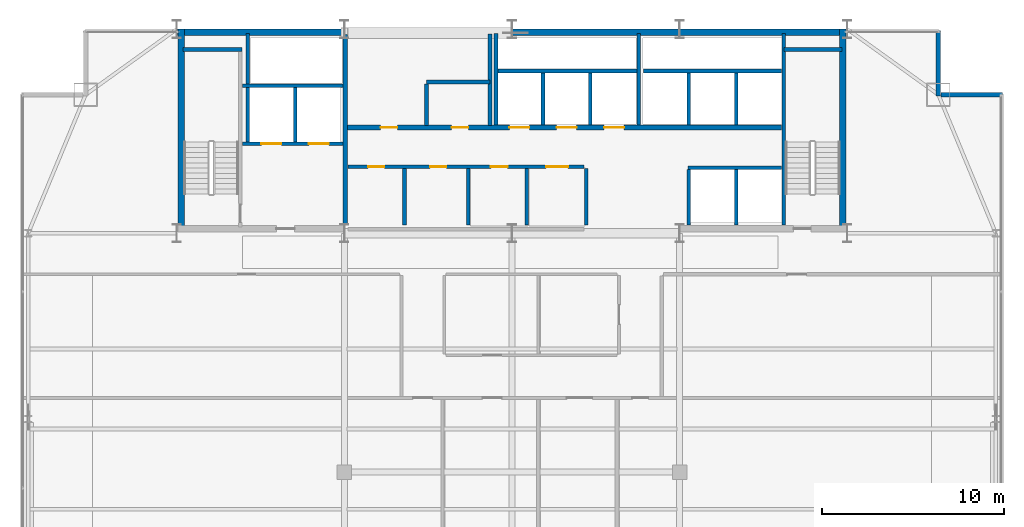
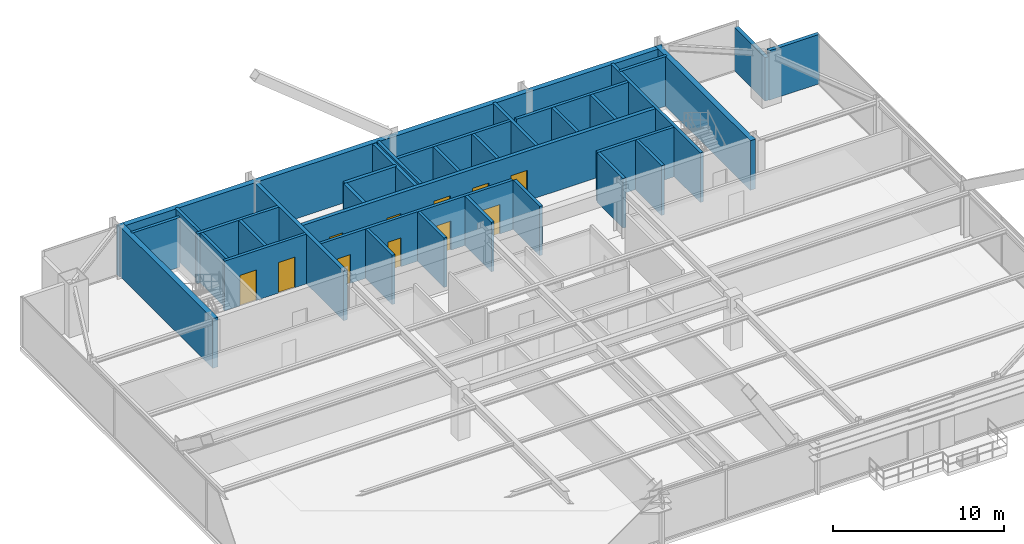
# One storey, part 29 of 32: 33 walls, 11 doors, 11 openings.
"""IFC4 building model written with IfcOpenShell, lengths in metres."""

from ifc_helpers import new_model, si_unit, direction, frame, frame_2d, origin, place, context, subcontext, project, spatial, rectangle, extrude, source, transform, mapped, material, layer, layer_set, type_object, type_shapes, element, fill, save


model = new_model("IFC4")

# Units and contexts
model_context = context("Model", 3, precision=1e-05, world=origin(), true_north=direction((0.0, 1.0)))
body_context = subcontext(model_context, "Body", "Model", "MODEL_VIEW")
ifc_project = project(units=[si_unit("LENGTHUNIT", "METRE"), si_unit("AREAUNIT", "SQUARE_METRE"), si_unit("VOLUMEUNIT", "CUBIC_METRE"), si_unit("PLANEANGLEUNIT", "RADIAN"), si_unit("MASSUNIT", "GRAM", prefix="KILO")], contexts=[model_context])

# Site, building, storey
site_placement = place(None, origin())
site = spatial("IfcSite", under=ifc_project, at=site_placement, CompositionType="ELEMENT")
building_placement = place(site_placement, origin())
building = spatial("IfcBuilding", under=site, at=building_placement, Name="Varnel Quay Broadcast Tower", CompositionType="ELEMENT")
storey_placement = place(building_placement, frame((0.0, 0.0, 164.800048828125)))
storey = spatial("IfcBuildingStorey", under=building, at=storey_placement, Name="L40", CompositionType="ELEMENT", Elevation=164.800048828125)

# Wall
ifc_material_1 = material(Name="Concrete CSA A23.3 C50/60", Category="concrete")
ifc_layer_1 = layer(ifc_material_1, 0.199951171875, Name="Concrete CSA A23.3 C50/60")
ifc_layer_set_1 = layer_set([ifc_layer_1], Name="Concrete CSA A23.3 C50/60")
wall_type_1 = type_object("IfcWallType", Name="Wall_CoreShaftShear200", PredefinedType="SHEAR", material=ifc_layer_set_1)
wall_1_placement = place(storey_placement, frame((15.949951171875, 45.679931640625, 0.0), z_axis=(0.0, 0.0, 1.0), x_axis=(1.0, 0.0, 0.0)))
element("IfcWall", 1, at=wall_1_placement, inside=storey, type_object=wall_type_1, Name="L40 Stair 1 North Structural Wall", PredefinedType="SHEAR", context=body_context, shape_type="SweptSolid", body=[
    extrude(rectangle(XDim=3.22998046875, YDim=0.199951171875, at=frame_2d((1.614990234375, 0.0))), origin(), (0.0, 0.0, 1.0), 3.550048828125),
])

# Wall, openings, doors
wall_2_placement = place(storey_placement, frame((19.199951171875, 40.5, 0.0), z_axis=(0.0, 0.0, 1.0), x_axis=(1.0, 0.0, 0.0)))
wall_2 = element("IfcWall", 2, at=wall_2_placement, inside=storey, type_object=wall_type_1, Name="L40 Firefighter Lift Shaft Front Wall", PredefinedType="SHEAR", context=body_context, shape_type="SweptSolid", body=[
    extrude(rectangle(XDim=5.52001953125, YDim=0.199951171875, at=frame_2d((2.760009765625, 0.0))), origin(), (0.0, 0.0, 1.0), 3.550048828125),
])
opening_1_placement = place(wall_2_placement, frame((1.050048828125, 0.0, 0.0)))
opening_1 = element("IfcOpeningElement", 3, at=opening_1_placement, cuts=wall_2, Name="Opening LD-L40-FE1", PredefinedType="OPENING", context=body_context, shape_type="SweptSolid", body=[
    extrude(rectangle(XDim=1.10009765625, YDim=2.179931640625, at=frame_2d((0.550048828125, 1.08984375))), frame((0.0, 0.10986328125, 0.0), z_axis=(0.0, -1.0, 0.0), x_axis=(1.0, 0.0, 0.0)), (0.0, 0.0, 1.0), 0.219970703125),
])
opening_2_placement = place(wall_2_placement, frame((3.64990234375, 0.0, 0.0)))
opening_2 = element("IfcOpeningElement", 4, at=opening_2_placement, cuts=wall_2, Name="Opening LD-L40-FE2", PredefinedType="OPENING", context=body_context, shape_type="SweptSolid", body=[
    extrude(rectangle(XDim=1.10009765625, YDim=2.179931640625, at=frame_2d((0.550048828125, 1.08984375))), frame((0.0, 0.10986328125, 0.0), z_axis=(0.0, -1.0, 0.0), x_axis=(1.0, 0.0, 0.0)), (0.0, 0.0, 1.0), 0.219970703125),
])
ifc_material_2 = material(Name="Brushed Bronze-Stainless Lift Car & Sliding Doors", Category="steel")
door_type_1 = type_object("IfcDoorType", Name="Door_LiftLanding1100", OperationType="SLIDING_TO_LEFT", PredefinedType="DOOR", material=ifc_material_2)
shared_shape_1 = source(origin(), body_context, "Body", "SweptSolid", [
    extrude(rectangle(XDim=1.10009765625, YDim=2.179931640625, at=frame_2d((0.550048828125, 1.08984375))), frame((0.0, 0.02490234375, 0.0), z_axis=(0.0, -1.0, 0.0), x_axis=(1.0, 0.0, 0.0)), (0.0, 0.0, 1.0), 0.050048828125),
])
type_shapes(door_type_1, [shared_shape_1])
door_1_placement = place(opening_1_placement, frame((1.10009765625, 0.0, 0.0), z_axis=(0.0, 0.0, 1.0), x_axis=(-1.0, 0.0, 0.0)))
door_1 = element("IfcDoor", 5, at=door_1_placement, inside=storey, type_object=door_type_1, Name="L40 Firefighter Lift FE-01 Landing Door", OperationType="SLIDING_TO_LEFT", OverallHeight=2.179931640625, OverallWidth=1.10009765625, PredefinedType="DOOR", context=body_context, shape_type="MappedRepresentation", body=[
    mapped(shared_shape_1, transform((0.0, 0.0, 0.0), x_axis=(1.0, 0.0, 0.0), y_axis=(0.0, 1.0, 0.0), z_axis=(0.0, 0.0, 1.0), scale=1.0)),
])
fill(opening_1, door_1)
door_2_placement = place(opening_2_placement, frame((1.10009765625, 0.0, 0.0), z_axis=(0.0, 0.0, 1.0), x_axis=(-1.0, 0.0, 0.0)))
door_2 = element("IfcDoor", 6, at=door_2_placement, inside=storey, type_object=door_type_1, Name="L40 Firefighter Lift FE-02 Landing Door", OperationType="SLIDING_TO_RIGHT", OverallHeight=2.179931640625, OverallWidth=1.10009765625, PredefinedType="DOOR", context=body_context, shape_type="MappedRepresentation", body=[
    mapped(shared_shape_1, transform((0.0, 0.0, 0.0), x_axis=(1.0, 0.0, 0.0), y_axis=(0.0, 1.0, 0.0), z_axis=(0.0, 0.0, 1.0), scale=1.0)),
])
fill(opening_2, door_2)

# Walls
wall_3_placement = place(storey_placement, frame((19.199951171875, 43.699951171875, 0.0), z_axis=(0.0, 0.0, 1.0), x_axis=(1.0, 0.0, 0.0)))
element("IfcWall", 7, at=wall_3_placement, inside=storey, type_object=wall_type_1, Name="L40 Firefighter Lift Shaft Rear Wall", PredefinedType="SHEAR", context=body_context, shape_type="SweptSolid", body=[
    extrude(rectangle(XDim=5.52001953125, YDim=0.199951171875, at=frame_2d((2.760009765625, 0.0))), origin(), (0.0, 0.0, 1.0), 3.550048828125),
])
wall_4_placement = place(storey_placement, frame((22.10009765625, 40.60009765625, 0.0), z_axis=(0.0, 0.0, 1.0), x_axis=(0.0, 1.0, 0.0)))
element("IfcWall", 8, at=wall_4_placement, inside=storey, type_object=wall_type_1, Name="L40 Firefighter Lift Shaft Divider", PredefinedType="SHEAR", context=body_context, shape_type="SweptSolid", body=[
    extrude(rectangle(XDim=3.0, YDim=0.199951171875, at=frame_2d((1.5, 0.0))), origin(), (0.0, 0.0, 1.0), 3.550048828125),
])
wall_5_placement = place(storey_placement, frame((19.5, 40.60009765625, 0.0), z_axis=(0.0, 0.0, 1.0), x_axis=(0.0, 1.0, 0.0)))
element("IfcWall", 9, at=wall_5_placement, inside=storey, type_object=wall_type_1, Name="L40 Firefighter Lift Shaft West Wall", PredefinedType="SHEAR", context=body_context, shape_type="SweptSolid", body=[
    extrude(rectangle(XDim=5.949951171875, YDim=0.199951171875, at=frame_2d((2.97509765625, 0.0))), origin(), (0.0, 0.0, 1.0), 3.550048828125),
])
wall_6_placement = place(storey_placement, frame((48.919921875, 36.050048828125, 0.0), z_axis=(0.0, 0.0, 1.0), x_axis=(0.0, 1.0, 0.0)))
element("IfcWall", 10, at=wall_6_placement, inside=storey, type_object=wall_type_1, Name="L40 Stair 2 West Structural Wall", PredefinedType="SHEAR", context=body_context, shape_type="SweptSolid", body=[
    extrude(rectangle(XDim=10.5, YDim=0.199951171875, at=frame_2d((5.25, 0.0))), origin(), (0.0, 0.0, 1.0), 3.550048828125),
])
wall_7_placement = place(storey_placement, frame((48.919921875, 45.679931640625, 0.0), z_axis=(0.0, 0.0, 1.0), x_axis=(1.0, 0.0, 0.0)))
element("IfcWall", 11, at=wall_7_placement, inside=storey, type_object=wall_type_1, Name="L40 Stair 2 North Structural Wall", PredefinedType="SHEAR", context=body_context, shape_type="SweptSolid", body=[
    extrude(rectangle(XDim=3.18017578125, YDim=0.199951171875, at=frame_2d((1.590087890625, 0.0))), origin(), (0.0, 0.0, 1.0), 3.550048828125),
])
wall_8_placement = place(storey_placement, frame((33.219970703125, 44.5, 0.0), z_axis=(0.0, 0.0, 1.0), x_axis=(1.0, 0.0, 0.0)))
element("IfcWall", 12, at=wall_8_placement, inside=storey, type_object=wall_type_1, Name="L40 Mid-Rise Lift Shaft Rear Wall", PredefinedType="SHEAR", context=body_context, shape_type="SweptSolid", body=[
    extrude(rectangle(XDim=7.630126953125, YDim=0.199951171875, at=frame_2d((3.81494140625, 0.0))), origin(), (0.0, 0.0, 1.0), 3.550048828125),
])
wall_9_placement = place(storey_placement, frame((33.1201171875, 41.530029296875, 0.0), z_axis=(0.0, 0.0, 1.0), x_axis=(0.0, 1.0, 0.0)))
element("IfcWall", 13, at=wall_9_placement, inside=storey, type_object=wall_type_1, Name="L40 Mid-Rise Lift Shaft Divider 1", PredefinedType="SHEAR", context=body_context, shape_type="SweptSolid", body=[
    extrude(rectangle(XDim=5.02001953125, YDim=0.199951171875, at=frame_2d((2.510009765625, 0.0))), origin(), (0.0, 0.0, 1.0), 3.550048828125),
])
for number, where, z_axis, x_axis, name in (
    (14, (35.699951171875, 41.530029296875, 0.0), (0.0, 0.0, 1.0), (0.0, 1.0, 0.0), "L40 Mid-Rise Lift Shaft Divider 2"),
    (15, (38.300048828125, 41.530029296875, 0.0), (0.0, 0.0, 1.0), (0.0, 1.0, 0.0), "L40 Mid-Rise Lift Shaft Divider 3"),
):
    element("IfcWall", number, at=place(storey_placement, frame(where, z_axis=z_axis, x_axis=x_axis)), inside=storey, type_object=wall_type_1, Name=name, PredefinedType="SHEAR", context=body_context, shape_type="SweptSolid", body=[
        extrude(rectangle(XDim=2.869873046875, YDim=0.199951171875, at=frame_2d((1.43505859375, 0.0))), origin(), (0.0, 0.0, 1.0), 3.550048828125),
    ])
wall_10_placement = place(storey_placement, frame((40.949951171875, 41.530029296875, 0.0), z_axis=(0.0, 0.0, 1.0), x_axis=(0.0, 1.0, 0.0)))
element("IfcWall", 16, at=wall_10_placement, inside=storey, type_object=wall_type_1, Name="L40 Mid-Rise Lift Shaft Divider 4", PredefinedType="SHEAR", context=body_context, shape_type="SweptSolid", body=[
    extrude(rectangle(XDim=5.02001953125, YDim=0.199951171875, at=frame_2d((2.510009765625, 0.0))), origin(), (0.0, 0.0, 1.0), 3.550048828125),
])
wall_11_placement = place(storey_placement, frame((41.219970703125, 44.5, 0.0), z_axis=(0.0, 0.0, 1.0), x_axis=(1.0, 0.0, 0.0)))
element("IfcWall", 17, at=wall_11_placement, inside=storey, type_object=wall_type_1, Name="L40 High-Rise Lift Shaft Rear Wall", PredefinedType="SHEAR", context=body_context, shape_type="SweptSolid", body=[
    extrude(rectangle(XDim=7.580078125, YDim=0.199951171875, at=frame_2d((3.7900390625, 0.0))), origin(), (0.0, 0.0, 1.0), 3.550048828125),
])
for number, where, z_axis, x_axis, name in (
    (18, (43.699951171875, 41.530029296875, 0.0), (0.0, 0.0, 1.0), (0.0, 1.0, 0.0), "L40 High-Rise Lift Shaft Divider 2"),
    (19, (46.300048828125, 41.530029296875, 0.0), (0.0, 0.0, 1.0), (0.0, 1.0, 0.0), "L40 High-Rise Lift Shaft Divider 3"),
):
    element("IfcWall", number, at=place(storey_placement, frame(where, z_axis=z_axis, x_axis=x_axis)), inside=storey, type_object=wall_type_1, Name=name, PredefinedType="SHEAR", context=body_context, shape_type="SweptSolid", body=[
        extrude(rectangle(XDim=2.869873046875, YDim=0.199951171875, at=frame_2d((1.43505859375, 0.0))), origin(), (0.0, 0.0, 1.0), 3.550048828125),
    ])
for number, where, z_axis, x_axis, name in (
    (20, (43.699951171875, 36.050048828125, 0.0), (0.0, 0.0, 1.0), (0.0, 1.0, 0.0), "L40 Express Lift Shaft West Wall"),
    (21, (46.300048828125, 36.050048828125, 0.0), (0.0, 0.0, 1.0), (0.0, 1.0, 0.0), "L40 Express Lift Shaft Divider"),
):
    element("IfcWall", number, at=place(storey_placement, frame(where, z_axis=z_axis, x_axis=x_axis)), inside=storey, type_object=wall_type_1, Name=name, PredefinedType="SHEAR", context=body_context, shape_type="SweptSolid", body=[
        extrude(rectangle(XDim=3.050048828125, YDim=0.199951171875, at=frame_2d((1.52490234375, 0.0))), origin(), (0.0, 0.0, 1.0), 3.550048828125),
    ])
wall_12_placement = place(storey_placement, frame((43.64990234375, 39.199951171875, 0.0), z_axis=(0.0, 0.0, 1.0), x_axis=(1.0, 0.0, 0.0)))
element("IfcWall", 22, at=wall_12_placement, inside=storey, type_object=wall_type_1, Name="L40 Express Lift Shaft North Front Wall", PredefinedType="SHEAR", context=body_context, shape_type="SweptSolid", body=[
    extrude(rectangle(XDim=5.150146484375, YDim=0.199951171875, at=frame_2d((2.5751953125, 0.0))), origin(), (0.0, 0.0, 1.0), 3.550048828125),
])
ifc_layer_2 = layer(ifc_material_1, 0.25, Name="Concrete CSA A23.3 C50/60")
ifc_layer_set_2 = layer_set([ifc_layer_2], Name="Concrete CSA A23.3 C50/60")
wall_type_2 = type_object("IfcWallType", Name="Wall_CoreShaftShear250", PredefinedType="SHEAR", material=ifc_layer_set_2)
wall_13_placement = place(storey_placement, frame((24.85009765625, 36.050048828125, 0.0), z_axis=(0.0, 0.0, 1.0), x_axis=(0.0, 1.0, 0.0)))
element("IfcWall", 23, at=wall_13_placement, inside=storey, type_object=wall_type_2, Name="L40 Firefighting Lobby East Structural Wall", PredefinedType="SHEAR", context=body_context, shape_type="SweptSolid", body=[
    extrude(rectangle(XDim=10.449951171875, YDim=0.25, at=frame_2d((5.22509765625, 0.0))), origin(), (0.0, 0.0, 1.0), 3.550048828125),
])

# Wall, openings, doors
wall_14_placement = place(storey_placement, frame((24.97998046875, 41.39990234375, 0.0), z_axis=(0.0, 0.0, 1.0), x_axis=(1.0, 0.0, 0.0)))
wall_14 = element("IfcWall", 24, at=wall_14_placement, inside=storey, type_object=wall_type_2, Name="L40 North Lift Bank & Reclaimed Suite Wall", PredefinedType="SHEAR", context=body_context, shape_type="SweptSolid", body=[
    extrude(rectangle(XDim=23.820068359375, YDim=0.25, at=frame_2d((11.91015625, 0.0))), origin(), (0.0, 0.0, 1.0), 3.550048828125),
])
opening_3_placement = place(wall_14_placement, frame((8.8701171875, 0.0, 0.0)))
opening_3 = element("IfcOpeningElement", 25, at=opening_3_placement, cuts=wall_14, Name="Opening LD-L40-PM-01", PredefinedType="OPENING", context=body_context, shape_type="SweptSolid", body=[
    extrude(rectangle(XDim=1.10009765625, YDim=2.179931640625, at=frame_2d((0.550048828125, 1.08984375))), frame((0.0, 0.135009765625, 0.0), z_axis=(0.0, -1.0, 0.0), x_axis=(1.0, 0.0, 0.0)), (0.0, 0.0, 1.0), 0.27001953125),
])
opening_4_placement = place(wall_14_placement, frame((11.469970703125, 0.0, 0.0)))
opening_4 = element("IfcOpeningElement", 26, at=opening_4_placement, cuts=wall_14, Name="Opening LD-L40-PM-02", PredefinedType="OPENING", context=body_context, shape_type="SweptSolid", body=[
    extrude(rectangle(XDim=1.10009765625, YDim=2.179931640625, at=frame_2d((0.550048828125, 1.08984375))), frame((0.0, 0.135009765625, 0.0), z_axis=(0.0, -1.0, 0.0), x_axis=(1.0, 0.0, 0.0)), (0.0, 0.0, 1.0), 0.27001953125),
])
opening_5_placement = place(wall_14_placement, frame((14.070068359375, 0.0, 0.0)))
opening_5 = element("IfcOpeningElement", 27, at=opening_5_placement, cuts=wall_14, Name="Opening LD-L40-PM-03", PredefinedType="OPENING", context=body_context, shape_type="SweptSolid", body=[
    extrude(rectangle(XDim=1.10009765625, YDim=2.179931640625, at=frame_2d((0.550048828125, 1.08984375))), frame((0.0, 0.135009765625, 0.0), z_axis=(0.0, -1.0, 0.0), x_axis=(1.0, 0.0, 0.0)), (0.0, 0.0, 1.0), 0.27001953125),
])
opening_6_placement = place(wall_14_placement, frame((1.81005859375, 0.0, 0.0)))
opening_6 = element("IfcOpeningElement", 28, at=opening_6_placement, cuts=wall_14, Name="Opening D-L40-RECA1", PredefinedType="OPENING", context=body_context, shape_type="SweptSolid", body=[
    extrude(rectangle(XDim=0.919921875, YDim=2.080078125, at=frame_2d((0.4599609375, 1.0400390625))), frame((0.0, 0.135009765625, 0.0), z_axis=(0.0, -1.0, 0.0), x_axis=(1.0, 0.0, 0.0)), (0.0, 0.0, 1.0), 0.27001953125),
])
opening_7_placement = place(wall_14_placement, frame((5.7099609375, 0.0, 0.0)))
opening_7 = element("IfcOpeningElement", 29, at=opening_7_placement, cuts=wall_14, Name="Opening D-L40-RECA2", PredefinedType="OPENING", context=body_context, shape_type="SweptSolid", body=[
    extrude(rectangle(XDim=0.919921875, YDim=2.080078125, at=frame_2d((0.4599609375, 1.0400390625))), frame((0.0, 0.135009765625, 0.0), z_axis=(0.0, -1.0, 0.0), x_axis=(1.0, 0.0, 0.0)), (0.0, 0.0, 1.0), 0.27001953125),
])
door_3_placement = place(opening_3_placement, frame((1.10009765625, 0.0, 0.0), z_axis=(0.0, 0.0, 1.0), x_axis=(-1.0, 0.0, 0.0)))
door_3 = element("IfcDoor", 30, at=door_3_placement, inside=storey, type_object=door_type_1, Name="L40 Lift PM-01 Landing Door", OperationType="SLIDING_TO_LEFT", OverallHeight=2.179931640625, OverallWidth=1.10009765625, PredefinedType="DOOR", context=body_context, shape_type="MappedRepresentation", body=[
    mapped(shared_shape_1, transform((0.0, 0.0, 0.0), x_axis=(1.0, 0.0, 0.0), y_axis=(0.0, 1.0, 0.0), z_axis=(0.0, 0.0, 1.0), scale=1.0)),
])
fill(opening_3, door_3)
door_4_placement = place(opening_4_placement, frame((1.10009765625, 0.0, 0.0), z_axis=(0.0, 0.0, 1.0), x_axis=(-1.0, 0.0, 0.0)))
door_4 = element("IfcDoor", 31, at=door_4_placement, inside=storey, type_object=door_type_1, Name="L40 Lift PM-02 Landing Door", OperationType="SLIDING_TO_LEFT", OverallHeight=2.179931640625, OverallWidth=1.10009765625, PredefinedType="DOOR", context=body_context, shape_type="MappedRepresentation", body=[
    mapped(shared_shape_1, transform((0.0, 0.0, 0.0), x_axis=(1.0, 0.0, 0.0), y_axis=(0.0, 1.0, 0.0), z_axis=(0.0, 0.0, 1.0), scale=1.0)),
])
fill(opening_4, door_4)
door_5_placement = place(opening_5_placement, frame((1.10009765625, 0.0, 0.0), z_axis=(0.0, 0.0, 1.0), x_axis=(-1.0, 0.0, 0.0)))
door_5 = element("IfcDoor", 32, at=door_5_placement, inside=storey, type_object=door_type_1, Name="L40 Lift PM-03 Landing Door", OperationType="SLIDING_TO_LEFT", OverallHeight=2.179931640625, OverallWidth=1.10009765625, PredefinedType="DOOR", context=body_context, shape_type="MappedRepresentation", body=[
    mapped(shared_shape_1, transform((0.0, 0.0, 0.0), x_axis=(1.0, 0.0, 0.0), y_axis=(0.0, 1.0, 0.0), z_axis=(0.0, 0.0, 1.0), scale=1.0)),
])
fill(opening_5, door_5)
ifc_material_3 = material(Name="Solid-Core Fire-Rated Acoustic Oak Veneer Door", Category="wood")
door_type_2 = type_object("IfcDoorType", Name="Door_Office920", OperationType="NOTDEFINED", PredefinedType="DOOR", material=ifc_material_3)
shared_shape_2 = source(origin(), body_context, "Body", "SweptSolid", [
    extrude(rectangle(XDim=0.919921875, YDim=2.080078125, at=frame_2d((0.4599609375, 1.0400390625))), frame((0.0, 0.02490234375, 0.0), z_axis=(0.0, -1.0, 0.0), x_axis=(1.0, 0.0, 0.0)), (0.0, 0.0, 1.0), 0.050048828125),
])
type_shapes(door_type_2, [shared_shape_2])
door_6_placement = place(opening_6_placement, origin())
door_6 = element("IfcDoor", 33, at=door_6_placement, inside=storey, type_object=door_type_2, Name="L40 Signal Routing Suite Door", OperationType="SINGLE_SWING_LEFT", OverallHeight=2.080078125, OverallWidth=0.919921875, PredefinedType="DOOR", context=body_context, shape_type="MappedRepresentation", body=[
    mapped(shared_shape_2, transform((0.0, 0.0, 0.0), x_axis=(1.0, 0.0, 0.0), y_axis=(0.0, 1.0, 0.0), z_axis=(0.0, 0.0, 1.0), scale=1.0)),
])
fill(opening_6, door_6)
door_7_placement = place(opening_7_placement, origin())
door_7 = element("IfcDoor", 34, at=door_7_placement, inside=storey, type_object=door_type_2, Name="L40 Archive Media Store Door", OperationType="SINGLE_SWING_RIGHT", OverallHeight=2.080078125, OverallWidth=0.919921875, PredefinedType="DOOR", context=body_context, shape_type="MappedRepresentation", body=[
    mapped(shared_shape_2, transform((0.0, 0.0, 0.0), x_axis=(1.0, 0.0, 0.0), y_axis=(0.0, 1.0, 0.0), z_axis=(0.0, 0.0, 1.0), scale=1.0)),
])
fill(opening_7, door_7)

# Walls
ifc_layer_3 = layer(ifc_material_1, 0.35009765625, Name="Concrete CSA A23.3 C50/60")
ifc_layer_set_3 = layer_set([ifc_layer_3], Name="Concrete CSA A23.3 C50/60")
wall_type_3 = type_object("IfcWallType", Name="Wall_CoreShearExt350", PredefinedType="SHEAR", material=ifc_layer_set_3)
wall_15_placement = place(storey_placement, frame((15.60009765625, 46.625, 0.0), z_axis=(0.0, 0.0, 1.0), x_axis=(1.0, 0.0, 0.0)))
element("IfcWall", 35, at=wall_15_placement, inside=storey, type_object=wall_type_3, Name="L40 North Core Shear Wall", PredefinedType="SHEAR", context=body_context, shape_type="SweptSolid", body=[
    extrude(rectangle(XDim=36.7998046875, YDim=0.35009765625, at=frame_2d((18.39990234375, 0.0))), origin(), (0.0, 0.0, 1.0), 3.550048828125),
])
ifc_layer_4 = layer(ifc_material_1, 0.35009765625, Name="Concrete CSA A23.3 C50/60")
ifc_layer_set_4 = layer_set([ifc_layer_4], Name="Concrete CSA A23.3 C50/60")
wall_type_4 = type_object("IfcWallType", Name="Wall_CoreShearInt350", PredefinedType="SHEAR", material=ifc_layer_set_4)
for number, where, z_axis, x_axis, name in (
    (36, (15.844970703125, 35.669921875, 0.0), (0.0, 0.0, 1.0), (0.0, 1.0, 0.0), "L40 West Core Shear Wall"),
    (37, (52.155029296875, 35.669921875, 0.0), (0.0, 0.0, 1.0), (0.0, 1.0, 0.0), "L40 East Core Shear Wall"),
):
    element("IfcWall", number, at=place(storey_placement, frame(where, z_axis=z_axis, x_axis=x_axis)), inside=storey, type_object=wall_type_4, Name=name, PredefinedType="SHEAR", context=body_context, shape_type="SweptSolid", body=[
        extrude(rectangle(XDim=11.130126953125, YDim=0.35009765625, at=frame_2d((5.56494140625, 0.0))), origin(), (0.0, 0.0, 1.0), 3.550048828125),
    ])
ifc_material_4 = material(Name="Precast Architectural Concrete C40/50", Category="concrete")
ifc_layer_5 = layer(ifc_material_4, 0.25, Name="Precast Architectural Concrete C40/50")
ifc_layer_set_5 = layer_set([ifc_layer_5], Name="Precast Architectural Concrete C40/50")
wall_type_5 = type_object("IfcWallType", Name="Wall_ExtTerrace250", PredefinedType="SOLIDWALL", material=ifc_layer_set_5)
wall_16_placement = place(storey_placement, frame((57.530029296875, 43.199951171875, 0.0), z_axis=(0.0, 0.0, 1.0), x_axis=(1.0, 0.0, 0.0)))
element("IfcWall", 38, at=wall_16_placement, inside=storey, type_object=wall_type_5, Name="L40 Mega-Column Notch Cladding Wall NNE1", PredefinedType="SOLIDWALL", context=body_context, shape_type="SweptSolid", body=[
    extrude(rectangle(XDim=3.389892578125, YDim=0.25, at=frame_2d((1.69482421875, 0.0))), origin(), (0.0, 0.0, 1.0), 3.530029296875),
])
wall_17_placement = place(storey_placement, frame((57.39990234375, 43.1201171875, 0.0), z_axis=(0.0, 0.0, 1.0), x_axis=(0.0, 1.0, 0.0)))
element("IfcWall", 39, at=wall_17_placement, inside=storey, type_object=wall_type_5, Name="L40 Mega-Column Notch Cladding Wall NNE2", PredefinedType="SOLIDWALL", context=body_context, shape_type="SweptSolid", body=[
    extrude(rectangle(XDim=3.599853515625, YDim=0.25, at=frame_2d((1.7998046875, 0.0))), origin(), (0.0, 0.0, 1.0), 3.10791015625),
])

# Wall, openings, doors
ifc_material_5 = material(Name="Concrete Blockwork Fire Enclosure C40/50", Category="masonry")
ifc_layer_6 = layer(ifc_material_5, 0.199951171875, Name="Concrete Blockwork Fire Enclosure C40/50")
ifc_layer_set_6 = layer_set([ifc_layer_6], Name="Concrete Blockwork Fire Enclosure C40/50")
wall_type_6 = type_object("IfcWallType", Name="Wall_FireShaft200", PredefinedType="SOLIDWALL", material=ifc_layer_set_6)
wall_18_placement = place(storey_placement, frame((25.0, 39.25, 0.0), z_axis=(0.0, 0.0, 1.0), x_axis=(1.0, 0.0, 0.0)))
wall_18 = element("IfcWall", 40, at=wall_18_placement, inside=storey, type_object=wall_type_6, Name="L40 Accessible Universal Washroom Partition 3", PredefinedType="SOLIDWALL", context=body_context, shape_type="SweptSolid", body=[
    extrude(rectangle(XDim=12.949951171875, YDim=0.199951171875, at=frame_2d((6.47509765625, 0.0))), origin(), (0.0, 0.0, 1.0), 3.530029296875),
])
opening_8_placement = place(wall_18_placement, frame((1.10009765625, 0.0, 0.0)))
opening_8 = element("IfcOpeningElement", 41, at=opening_8_placement, cuts=wall_18, Name="Opening D-L40-01", PredefinedType="OPENING", context=body_context, shape_type="SweptSolid", body=[
    extrude(rectangle(XDim=0.89990234375, YDim=2.06005859375, at=frame_2d((0.449951171875, 1.030029296875))), frame((0.0, 0.10986328125, 0.0), z_axis=(0.0, -1.0, 0.0), x_axis=(1.0, 0.0, 0.0)), (0.0, 0.0, 1.0), 0.219970703125),
])
opening_9_placement = place(wall_18_placement, frame((4.5, 0.0, 0.0)))
opening_9 = element("IfcOpeningElement", 42, at=opening_9_placement, cuts=wall_18, Name="Opening D-L40-02", PredefinedType="OPENING", context=body_context, shape_type="SweptSolid", body=[
    extrude(rectangle(XDim=0.89990234375, YDim=2.06005859375, at=frame_2d((0.449951171875, 1.030029296875))), frame((0.0, 0.10986328125, 0.0), z_axis=(0.0, -1.0, 0.0), x_axis=(1.0, 0.0, 0.0)), (0.0, 0.0, 1.0), 0.219970703125),
])
opening_10_placement = place(wall_18_placement, frame((7.840087890625, 0.0, 0.0)))
opening_10 = element("IfcOpeningElement", 43, at=opening_10_placement, cuts=wall_18, Name="Opening D-L40-03", PredefinedType="OPENING", context=body_context, shape_type="SweptSolid", body=[
    extrude(rectangle(XDim=0.919921875, YDim=2.080078125, at=frame_2d((0.4599609375, 1.0400390625))), frame((0.0, 0.10986328125, 0.0), z_axis=(0.0, -1.0, 0.0), x_axis=(1.0, 0.0, 0.0)), (0.0, 0.0, 1.0), 0.219970703125),
])
opening_11_placement = place(wall_18_placement, frame((10.875, 0.0, 0.0)))
opening_11 = element("IfcOpeningElement", 44, at=opening_11_placement, cuts=wall_18, Name="Opening D-L40-04", PredefinedType="OPENING", context=body_context, shape_type="SweptSolid", body=[
    extrude(rectangle(XDim=1.199951171875, YDim=2.10009765625, at=frame_2d((0.60009765625, 1.050048828125))), frame((0.0, 0.10986328125, 0.0), z_axis=(0.0, -1.0, 0.0), x_axis=(1.0, 0.0, 0.0)), (0.0, 0.0, 1.0), 0.219970703125),
])
door_type_3 = type_object("IfcDoorType", Name="Door_Washroom900", OperationType="NOTDEFINED", PredefinedType="DOOR", material=ifc_material_3)
shared_shape_3 = source(origin(), body_context, "Body", "SweptSolid", [
    extrude(rectangle(XDim=0.89990234375, YDim=2.06005859375, at=frame_2d((0.449951171875, 1.030029296875))), frame((0.0, 0.02490234375, 0.0), z_axis=(0.0, -1.0, 0.0), x_axis=(1.0, 0.0, 0.0)), (0.0, 0.0, 1.0), 0.050048828125),
])
type_shapes(door_type_3, [shared_shape_3])
door_8_placement = place(opening_8_placement, frame((0.89990234375, 0.0, 0.0), z_axis=(0.0, 0.0, 1.0), x_axis=(-1.0, 0.0, 0.0)))
door_8 = element("IfcDoor", 45, at=door_8_placement, inside=storey, type_object=door_type_3, Name="L40 Accessible Universal Washroom Door D-L40-01", OperationType="SINGLE_SWING_LEFT", OverallHeight=2.06005859375, OverallWidth=0.89990234375, PredefinedType="DOOR", context=body_context, shape_type="MappedRepresentation", body=[
    mapped(shared_shape_3, transform((0.0, 0.0, 0.0), x_axis=(1.0, 0.0, 0.0), y_axis=(0.0, 1.0, 0.0), z_axis=(0.0, 0.0, 1.0), scale=1.0)),
])
fill(opening_8, door_8)
door_9_placement = place(opening_9_placement, frame((0.89990234375, 0.0, 0.0), z_axis=(0.0, 0.0, 1.0), x_axis=(-1.0, 0.0, 0.0)))
door_9 = element("IfcDoor", 46, at=door_9_placement, inside=storey, type_object=door_type_3, Name="L40 Staff Washroom Block Door D-L40-02", OperationType="SINGLE_SWING_RIGHT", OverallHeight=2.06005859375, OverallWidth=0.89990234375, PredefinedType="DOOR", context=body_context, shape_type="MappedRepresentation", body=[
    mapped(shared_shape_3, transform((0.0, 0.0, 0.0), x_axis=(1.0, 0.0, 0.0), y_axis=(0.0, 1.0, 0.0), z_axis=(0.0, 0.0, 1.0), scale=1.0)),
])
fill(opening_9, door_9)
ifc_material_6 = material(Name="Insulated Fire-Rated Hollow Steel Door", Category="steel")
door_type_4 = type_object("IfcDoorType", Name="Door_Plant1200", OperationType="NOTDEFINED", PredefinedType="DOOR", material=ifc_material_6)
shared_shape_4 = source(origin(), body_context, "Body", "SweptSolid", [
    extrude(rectangle(XDim=1.199951171875, YDim=2.10009765625, at=frame_2d((0.60009765625, 1.050048828125))), frame((0.0, 0.02490234375, 0.0), z_axis=(0.0, -1.0, 0.0), x_axis=(1.0, 0.0, 0.0)), (0.0, 0.0, 1.0), 0.050048828125),
])
type_shapes(door_type_4, [shared_shape_4])
door_10_placement = place(opening_11_placement, origin())
door_10 = element("IfcDoor", 47, at=door_10_placement, inside=storey, type_object=door_type_4, Name="L40 Zone Lighting Dimmer Room Door D-L40-04", OperationType="SINGLE_SWING_RIGHT", OverallHeight=2.10009765625, OverallWidth=1.199951171875, PredefinedType="DOOR", context=body_context, shape_type="MappedRepresentation", body=[
    mapped(shared_shape_4, transform((0.0, 0.0, 0.0), x_axis=(1.0, 0.0, 0.0), y_axis=(0.0, 1.0, 0.0), z_axis=(0.0, 0.0, 1.0), scale=1.0)),
])
fill(opening_11, door_10)
door_11_placement = place(opening_10_placement, frame((0.919921875, 0.0, 0.0), z_axis=(0.0, 0.0, 1.0), x_axis=(-1.0, 0.0, 0.0)))
door_11 = element("IfcDoor", 48, at=door_11_placement, inside=storey, type_object=door_type_2, Name="L40 Broadcast First-Aid & Quiet Room Door D-L40-03", OperationType="SINGLE_SWING_LEFT", OverallHeight=2.080078125, OverallWidth=0.919921875, PredefinedType="DOOR", context=body_context, shape_type="MappedRepresentation", body=[
    mapped(shared_shape_2, transform((0.0, 0.0, 0.0), x_axis=(1.0, 0.0, 0.0), y_axis=(0.0, 1.0, 0.0), z_axis=(0.0, 0.0, 1.0), scale=1.0)),
])
fill(opening_10, door_11)

# Walls
for number, where, z_axis, x_axis, name in (
    (49, (34.800048828125, 36.050048828125, 0.0), (0.0, 0.0, 1.0), (0.0, 1.0, 0.0), "L40 Broadcast First-Aid & Quiet Room Partition 5"),
    (50, (38.074951171875, 36.050048828125, 0.0), (0.0, 0.0, 1.0), (0.0, 1.0, 0.0), "L40 Zone Lighting Dimmer Room Partition 6"),
):
    element("IfcWall", number, at=place(storey_placement, frame(where, z_axis=z_axis, x_axis=x_axis)), inside=storey, type_object=wall_type_6, Name=name, PredefinedType="SOLIDWALL", context=body_context, shape_type="SweptSolid", body=[
        extrude(rectangle(XDim=3.099853515625, YDim=0.199951171875, at=frame_2d((1.5498046875, 0.0))), origin(), (0.0, 0.0, 1.0), 3.530029296875),
    ])
ifc_material_7 = material(Name="Steel-Stud Fire-Rated Acoustic Gypsum Partition Assembly", Category="steel")
ifc_layer_7 = layer(ifc_material_7, 0.22509765625, Name="Steel-Stud Fire-Rated Acoustic Gypsum Partition Assembly")
ifc_layer_set_7 = layer_set([ifc_layer_7], Name="Steel-Stud Fire-Rated Acoustic Gypsum Partition Assembly")
wall_type_7 = type_object("IfcWallType", Name="Wall_Partition225", PredefinedType="PARTITIONING", material=ifc_layer_set_7)
wall_19_placement = place(storey_placement, frame((29.300048828125, 41.5, 0.0), z_axis=(0.0, 0.0, 1.0), x_axis=(0.0, 1.0, 0.0)))
element("IfcWall", 51, at=wall_19_placement, inside=storey, type_object=wall_type_7, Name="L40 Signal Routing Suite Partition 20", PredefinedType="PARTITIONING", context=body_context, shape_type="SweptSolid", body=[
    extrude(rectangle(XDim=2.2880859375, YDim=0.22509765625, at=frame_2d((1.14404296875, 0.0))), origin(), (0.0, 0.0, 1.0), 3.530029296875),
])
wall_20_placement = place(storey_placement, frame((29.300048828125, 43.89990234375, 0.0), z_axis=(0.0, 0.0, 1.0), x_axis=(1.0, 0.0, 0.0)))
element("IfcWall", 52, at=wall_20_placement, inside=storey, type_object=wall_type_7, Name="L40 Signal Routing Suite Partition 21", PredefinedType="PARTITIONING", context=body_context, shape_type="SweptSolid", body=[
    extrude(rectangle(XDim=3.5, YDim=0.22509765625, at=frame_2d((1.75, 0.0))), origin(), (0.0, 0.0, 1.0), 3.530029296875),
])
wall_21_placement = place(storey_placement, frame((32.800048828125, 41.5, 0.0), z_axis=(0.0, 0.0, 1.0), x_axis=(0.0, 1.0, 0.0)))
element("IfcWall", 53, at=wall_21_placement, inside=storey, type_object=wall_type_7, Name="L40 Signal Routing Suite Partition 22", PredefinedType="PARTITIONING", context=body_context, shape_type="SweptSolid", body=[
    extrude(rectangle(XDim=5.02001953125, YDim=0.22509765625, at=frame_2d((2.510009765625, 0.0))), origin(), (0.0, 0.0, 1.0), 3.530029296875),
])
ifc_material_8 = material(Name="Fire-Rated Moisture-Resistant Plumbing Chase Partition")
ifc_layer_8 = layer(ifc_material_8, 0.199951171875, Name="Fire-Rated Moisture-Resistant Plumbing Chase Partition")
ifc_layer_set_8 = layer_set([ifc_layer_8], Name="Fire-Rated Moisture-Resistant Plumbing Chase Partition")
wall_type_8 = type_object("IfcWallType", Name="Wall_Plumbing200", PredefinedType="PLUMBINGWALL", material=ifc_layer_set_8)
for number, where, z_axis, x_axis, name in (
    (54, (28.10009765625, 36.050048828125, 0.0), (0.0, 0.0, 1.0), (0.0, 1.0, 0.0), "L40 Accessible Universal Washroom Partition 2"),
    (55, (31.60009765625, 36.050048828125, 0.0), (0.0, 0.0, 1.0), (0.0, 1.0, 0.0), "L40 Staff Washroom Block Partition 4"),
):
    element("IfcWall", number, at=place(storey_placement, frame(where, z_axis=z_axis, x_axis=x_axis)), inside=storey, type_object=wall_type_8, Name=name, PredefinedType="PLUMBINGWALL", context=body_context, shape_type="SweptSolid", body=[
        extrude(rectangle(XDim=3.099853515625, YDim=0.199951171875, at=frame_2d((1.5498046875, 0.0))), origin(), (0.0, 0.0, 1.0), 3.530029296875),
    ])

save(model, "model.ifc")
